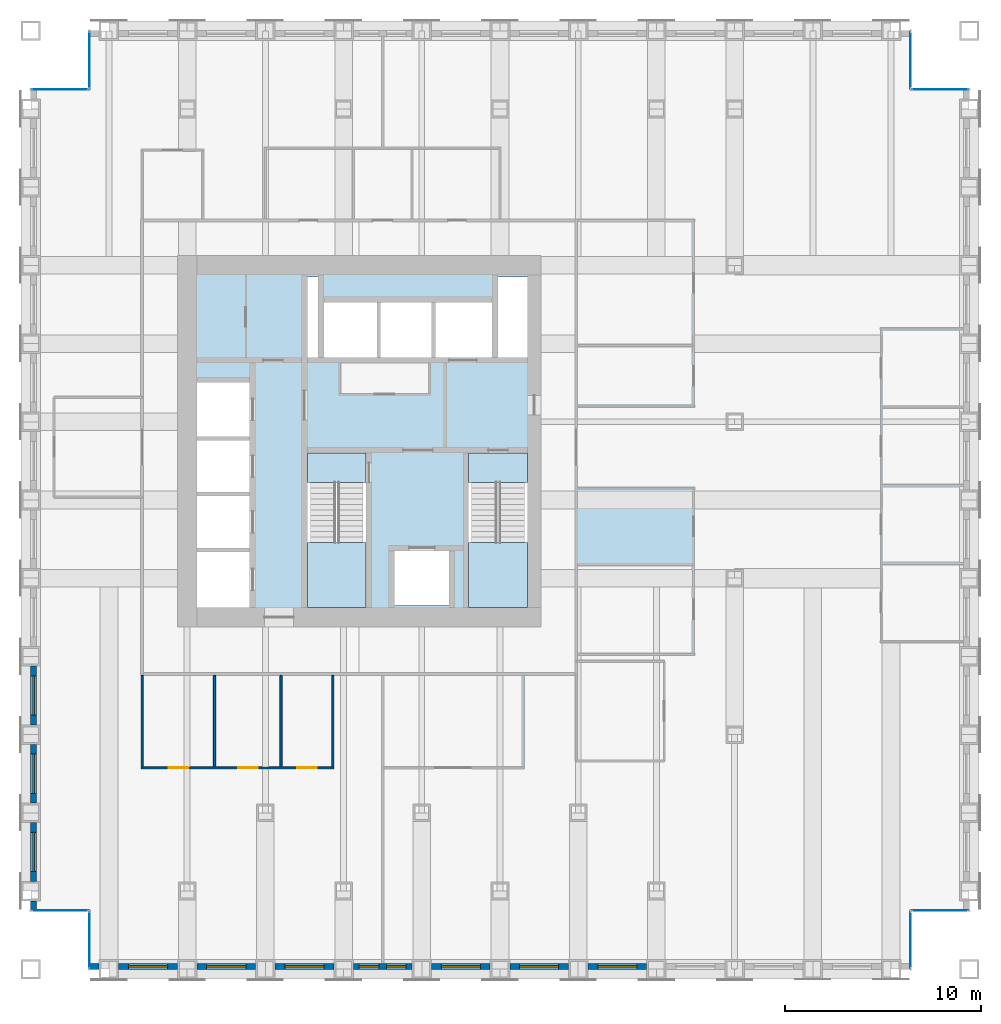
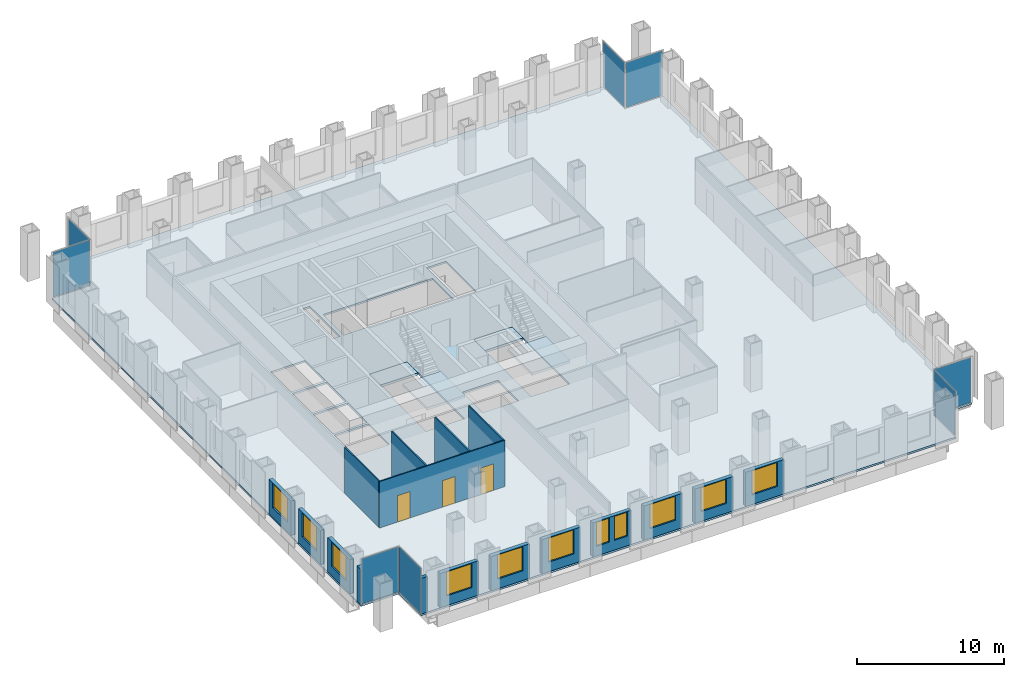
# One storey, part 10 of 16: 17 walls, 11 windows, 8 plates, 5 slabs, 3 doors, 14 openings, 10 elements without a shape of their own.
"""IFC4 building model written with IfcOpenShell, lengths in metres."""

import ifcopenshell
import ifcopenshell.guid

model = None  # the IFC model being written
_history = None  # IfcOwnerHistory: only IFC2X3 demands one
_inside = {}  # id of a spatial element -> (the spatial element, [elements in it])
_under = {}  # id of a project, library or spatial element -> (it, [spatial elements below it])
_declared = {}  # id of a project -> (the project, [libraries it declares])
_typed = {}  # id of a type object -> (the type object, [elements of that type])
_made_of = {}  # id of a material, layer set ... -> (it, [elements and type objects made of it])


def new_model(schema):
    """Start an empty IFC model of exactly this schema.

    Asked for "IFC4X3", IfcOpenShell would pick the latest addendum, in which some entities
    have other attributes; the version numbers below select the first issue.
    IFC2X3 requires an IfcOwnerHistory on every rooted entity: one is made here for all.
    """
    global model, _history
    if schema == "IFC4X3":
        model = ifcopenshell.file(schema_version=(4, 3, 0, 0))
    else:
        model = ifcopenshell.file(schema=schema)
    _inside.clear()
    _under.clear()
    _declared.clear()
    _typed.clear()
    _made_of.clear()
    _history = None
    if model.schema == "IFC2X3":
        org = make("IfcOrganization", Name="unknown")
        user = make(
            "IfcPersonAndOrganization",
            ThePerson=make("IfcPerson", FamilyName="unknown"),
            TheOrganization=org,
        )
        app = make(
            "IfcApplication",
            ApplicationDeveloper=org,
            Version="unknown",
            ApplicationFullName="unknown",
            ApplicationIdentifier="unknown",
        )
        _history = make(
            "IfcOwnerHistory",
            OwningUser=user,
            OwningApplication=app,
            ChangeAction="ADDED",
            CreationDate=0,
        )
    return model


def make(cls, **values):
    """One entity of the class cls with the attributes given. An attribute that is None is left unset."""
    return model.create_entity(
        cls, **{name: value for name, value in values.items() if value is not None}
    )


def rooted(cls, **values):
    """An entity with a GlobalId (a new one), such as an element, a storey or a relation."""
    return make(cls, GlobalId=ifcopenshell.guid.new(), OwnerHistory=_history, **values)


def si_unit(unit_type, name, prefix=None):
    """IfcSIUnit, for example si_unit("LENGTHUNIT", "METRE", prefix="MILLI")."""
    return make("IfcSIUnit", UnitType=unit_type, Prefix=prefix, Name=name)


def assignment(units):
    """IfcUnitAssignment: the units of a project."""
    return None if units is None else make("IfcUnitAssignment", Units=units)


def point(xyz):
    """IfcCartesianPoint."""
    return None if xyz is None else make("IfcCartesianPoint", Coordinates=xyz)


def direction(xyz):
    """IfcDirection."""
    return None if xyz is None else make("IfcDirection", DirectionRatios=xyz)


def frame(location, z_axis=None, x_axis=None):
    """IfcAxis2Placement3D, a coordinate frame: its origin and axes. An axis left out is left unset."""
    return make(
        "IfcAxis2Placement3D",
        Location=point(location),
        Axis=direction(z_axis),
        RefDirection=direction(x_axis),
    )


def frame_2d(location, x_axis=None):
    """IfcAxis2Placement2D, a coordinate frame in the plane: its origin and x axis."""
    return make(
        "IfcAxis2Placement2D", Location=point(location), RefDirection=direction(x_axis)
    )


def origin():
    """The frame at (0, 0, 0) with its axes left unset."""
    return frame((0.0, 0.0, 0.0))


def origin_2d():
    """The frame at (0, 0) in the plane with its x axis left unset."""
    return frame_2d((0.0, 0.0))


def place(relative_to, where):
    """IfcLocalPlacement: puts the frame where relative to a parent placement (None: the world)."""
    return make(
        "IfcLocalPlacement", PlacementRelTo=relative_to, RelativePlacement=where
    )


def context(
    kind, dimensions, precision=None, world=None, true_north=None, identifier=None
):
    """IfcGeometricRepresentationContext, for example the 3D "Model" context."""
    return make(
        "IfcGeometricRepresentationContext",
        ContextIdentifier=identifier,
        ContextType=kind,
        CoordinateSpaceDimension=dimensions,
        Precision=precision,
        WorldCoordinateSystem=world,
        TrueNorth=true_north,
    )


def subcontext(parent, identifier, kind, view, scale=None):
    """IfcGeometricRepresentationSubContext, for example "Body" below "Model"."""
    return make(
        "IfcGeometricRepresentationSubContext",
        ContextIdentifier=identifier,
        ContextType=kind,
        ParentContext=parent,
        TargetScale=scale,
        TargetView=view,
    )


def project(units=None, contexts=None):
    """IfcProject with its units and contexts."""
    return rooted(
        "IfcProject",
        Name="project",
        RepresentationContexts=contexts,
        UnitsInContext=assignment(units),
    )


def spatial(cls, under=None, at=None, **own):
    """A site, building, storey or space (cls), placed at a placement, below another one or the project."""
    s = rooted(cls, ObjectPlacement=at, **own)
    if under is not None:
        _under.setdefault(under.id(), (under, []))[1].append(s)
    return s


def polyline(points):
    """IfcPolyline through the points."""
    return make("IfcPolyline", Points=[point(p) for p in points])


def profile(cls, at=None, kind="AREA", **sizes):
    """A parametric profile (cls). Its sizes go by their IFC names, for example OverallWidth=200.0."""
    return make(cls, ProfileType=kind, Position=at, **sizes)


def rectangle(**sizes):
    """IfcRectangleProfileDef."""
    return profile("IfcRectangleProfileDef", **sizes)


def outline(outer, holes=None, kind="AREA"):
    """IfcArbitraryClosedProfileDef: a profile drawn as a closed curve; with holes, ...WithVoids."""
    if holes is None:
        return make("IfcArbitraryClosedProfileDef", ProfileType=kind, OuterCurve=outer)
    return make(
        "IfcArbitraryProfileDefWithVoids",
        ProfileType=kind,
        OuterCurve=outer,
        InnerCurves=holes,
    )


def extrude(swept, where, along, depth):
    """IfcExtrudedAreaSolid: the profile swept, set in the frame where, extruded along a direction by depth."""
    return make(
        "IfcExtrudedAreaSolid",
        SweptArea=swept,
        Position=where,
        ExtrudedDirection=direction(along),
        Depth=depth,
    )


def shape(context_of_items, identifier, shape_type, items):
    """IfcShapeRepresentation: the items that make up one representation, for example the "Body"."""
    return make(
        "IfcShapeRepresentation",
        ContextOfItems=context_of_items,
        RepresentationIdentifier=identifier,
        RepresentationType=shape_type,
        Items=items,
    )


def material(Name=None, Category=None):
    """IfcMaterial."""
    return make("IfcMaterial", Name=Name, Category=Category)


def layer(
    of_material, thickness, ventilated=None, Name=None, Category=None, Priority=None
):
    """IfcMaterialLayer: one layer of a wall or slab, of a material (None: an air gap)."""
    return make(
        "IfcMaterialLayer",
        Material=of_material,
        LayerThickness=thickness,
        IsVentilated=ventilated,
        Name=Name,
        Category=Category,
        Priority=Priority,
    )


def layer_set(layers, Name=None):
    """IfcMaterialLayerSet."""
    return make("IfcMaterialLayerSet", MaterialLayers=layers, LayerSetName=Name)


def made_of(thing, what):
    """Note that an element or type object is made of a material, layer set ...; save() writes the relation."""
    if what is not None:
        _made_of.setdefault(what.id(), (what, []))[1].append(thing)
    return thing


def type_object(cls, material=None, **own):
    """A type object (cls), such as IfcWallType, which elements share."""
    return made_of(rooted(cls, **own), material)


def element(
    cls,
    number,
    at=None,
    inside=None,
    cuts=None,
    type_object=None,
    material=None,
    context=None,
    identifier="Body",
    shape_type=None,
    held_by="IfcProductDefinitionShape",
    body=None,
    shapes=None,
    **own,
):
    """One element of the class cls, such as IfcWall. Its Tag is "e" and its number.

    at: its placement. inside: the storey or other place that contains it. cuts: it is an
    opening in that element (IfcRelVoidsElement). A single representation is given by context,
    identifier, shape_type and body (its items); several are given by shapes. held_by: the class
    of the entity that holds the representations. save() writes the other relations.
    """
    e = rooted(cls, Tag="e%d" % number, ObjectPlacement=at, **own)
    if body is not None:
        shapes = [shape(context, identifier, shape_type, body)]
    if shapes is not None:
        e.Representation = make(held_by, Representations=shapes)
    if inside is not None:
        _inside.setdefault(inside.id(), (inside, []))[1].append(e)
    if cuts is not None:
        rooted(
            "IfcRelVoidsElement", RelatingBuildingElement=cuts, RelatedOpeningElement=e
        )
    if type_object is not None:
        _typed.setdefault(type_object.id(), (type_object, []))[1].append(e)
    return made_of(e, material)


def fill(opening, filler):
    """IfcRelFillsElement: the door or window that sits in an opening."""
    return rooted(
        "IfcRelFillsElement",
        RelatingOpeningElement=opening,
        RelatedBuildingElement=filler,
    )


def aggregate(whole, parts):
    """IfcRelAggregates: a whole, such as a stair, and the parts it consists of."""
    return rooted("IfcRelAggregates", RelatingObject=whole, RelatedObjects=parts)


def save(model, path):
    """Write the relations noted so far, then the file.

    IfcRelAggregates (storeys below a building ...), IfcRelContainedInSpatialStructure (elements
    in a storey), IfcRelDefinesByType, IfcRelAssociatesMaterial and IfcRelDeclares: one each for
    every whole, place, type object, material and project.
    """
    for whole, parts in _under.values():
        aggregate(whole, parts)
    for where, things in _inside.values():
        rooted(
            "IfcRelContainedInSpatialStructure",
            RelatedElements=things,
            RelatingStructure=where,
        )
    for kind, things in _typed.values():
        rooted("IfcRelDefinesByType", RelatedObjects=things, RelatingType=kind)
    for what, things in _made_of.values():
        rooted("IfcRelAssociatesMaterial", RelatedObjects=things, RelatingMaterial=what)
    for by, libraries in _declared.values():
        rooted("IfcRelDeclares", RelatingContext=by, RelatedDefinitions=libraries)
    model.write(path)


model = new_model("IFC4")

# Units and contexts
model_context = context("Model", 3, precision=1e-05, world=origin(), true_north=direction((0.0, 1.0)))
body_context = subcontext(model_context, "Body", "Model", "MODEL_VIEW")
ifc_project = project(units=[si_unit("LENGTHUNIT", "METRE"), si_unit("AREAUNIT", "SQUARE_METRE"), si_unit("VOLUMEUNIT", "CUBIC_METRE"), si_unit("PLANEANGLEUNIT", "RADIAN"), si_unit("MASSUNIT", "GRAM", prefix="KILO")], contexts=[model_context])

# Site, building, storey
site_placement = place(None, origin())
site = spatial("IfcSite", under=ifc_project, at=site_placement, CompositionType="ELEMENT")
building_placement = place(site_placement, origin())
building = spatial("IfcBuilding", under=site, at=building_placement, Name="Rimbunsela Tower", CompositionType="ELEMENT")
storey_placement = place(building_placement, frame((0.0, 0.0, 89.39990234375)))
storey = spatial("IfcBuildingStorey", under=building, at=storey_placement, Name="L21", CompositionType="ELEMENT", Elevation=89.39990234375)

# Slab
ifc_material_1 = material(Name="Concrete fc' 35 MPa", Category="concrete")
ifc_layer_1 = layer(ifc_material_1, 0.14990234375)
ifc_layer_set_1 = layer_set([ifc_layer_1], Name="Floor slab 150")
slab_type_1 = type_object("IfcSlabType", Name="Floor slab 150", PredefinedType="FLOOR", material=ifc_layer_set_1)
slab_1_placement = place(storey_placement, frame((0.0, 0.0, -0.14990234375)))
element("IfcSlab", 1, at=slab_1_placement, inside=storey, type_object=slab_type_1, Name="Floor slab L21", PredefinedType="FLOOR", context=body_context, shape_type="SweptSolid", body=[
    extrude(outline(polyline([(13.0, 0.0), (55.0, 0.0), (55.0, 3.0), (58.0, 3.0), (58.0, 45.0), (55.0, 45.0), (55.0, 48.0), (13.0, 48.0), (13.0, 45.0), (10.0, 45.0), (10.0, 3.0), (13.0, 3.0), (13.0, 0.0)]), holes=[polyline([(21.199951171875, 21.35009765625), (18.5, 21.35009765625), (18.5, 18.5), (21.199951171875, 18.5), (21.199951171875, 21.35009765625)]), polyline([(21.199951171875, 21.550048828125), (21.199951171875, 24.199951171875), (18.5, 24.199951171875), (18.5, 21.550048828125), (21.199951171875, 21.550048828125)]), polyline([(21.199951171875, 27.050048828125), (18.5, 27.050048828125), (18.5, 24.39990234375), (21.199951171875, 24.39990234375), (21.199951171875, 27.050048828125)]), polyline([(21.199951171875, 27.25), (21.199951171875, 30.0), (18.5, 30.0), (18.5, 27.25), (21.199951171875, 27.25)]), polyline([(27.14990234375, 18.60009765625), (27.14990234375, 26.39990234375), (24.14990234375, 26.39990234375), (24.14990234375, 18.60009765625), (27.14990234375, 18.60009765625)]), polyline([(24.699951171875, 31.300048828125), (24.699951171875, 35.39990234375), (24.14990234375, 35.39990234375), (24.14990234375, 31.300048828125), (24.699951171875, 31.300048828125)]), polyline([(25.0, 34.10009765625), (25.0, 31.300048828125), (33.60009765625, 31.300048828125), (33.60009765625, 34.10009765625), (25.0, 34.10009765625)]), polyline([(31.39990234375, 21.39990234375), (28.60009765625, 21.39990234375), (28.60009765625, 18.60009765625), (31.39990234375, 18.60009765625), (31.39990234375, 21.39990234375)]), polyline([(35.39990234375, 18.60009765625), (35.39990234375, 26.39990234375), (32.39990234375, 26.39990234375), (32.39990234375, 18.60009765625), (35.39990234375, 18.60009765625)]), polyline([(35.39990234375, 31.300048828125), (35.39990234375, 35.39990234375), (33.89990234375, 35.39990234375), (33.89990234375, 31.300048828125), (35.39990234375, 31.300048828125)])]), origin(), (0.0, 0.0, 1.0), 0.14990234375),
])

# Curtain wall, plate
ifc_material_2 = material(Name="Aluminium curtain wall", Category="aluminium")
curtain_wall_type = type_object("IfcCurtainWallType", Name="Corner glazing", PredefinedType="USERDEFINED", material=ifc_material_2)
curtain_wall_1_placement = place(storey_placement, origin())
curtain_wall_1 = element("IfcCurtainWall", 2, at=curtain_wall_1_placement, inside=storey, type_object=curtain_wall_type, Name="Corner glazing L21", ObjectType="CORNER GLAZING", PredefinedType="USERDEFINED")
ifc_material_3 = material(Name="Clear double glazing", Category="glass")
ifc_layer_2 = layer(ifc_material_3, 0.028076171875)
ifc_layer_set_2 = layer_set([ifc_layer_2], Name="Glazed panel clear")
plate_type = type_object("IfcPlateType", Name="Glazed panel clear", PredefinedType="CURTAIN_PANEL", material=ifc_layer_set_2)
plate_1_placement = place(storey_placement, frame((55.0, 1.5, 0.06005859375), z_axis=(0.0, 0.0, 1.0), x_axis=(0.0, 1.0, 0.0)))
plate_1 = element("IfcPlate", 3, at=plate_1_placement, type_object=plate_type, Name="CW5 panel 1.1", PredefinedType="CURTAIN_PANEL", context=body_context, shape_type="SweptSolid", body=[
    extrude(rectangle(XDim=2.8798828125, YDim=0.028076171875, at=origin_2d()), origin(), (0.0, 0.0, 1.0), 3.72998046875),
])
aggregate(curtain_wall_1, [plate_1])

curtain_wall_2_placement = place(storey_placement, origin())
curtain_wall_2 = element("IfcCurtainWall", 4, at=curtain_wall_2_placement, inside=storey, type_object=curtain_wall_type, Name="Corner glazing L21", ObjectType="CORNER GLAZING", PredefinedType="USERDEFINED")
plate_2_placement = place(storey_placement, frame((56.5, 3.0, 0.06005859375), z_axis=(0.0, 0.0, 1.0), x_axis=(1.0, 0.0, 0.0)))
plate_2 = element("IfcPlate", 5, at=plate_2_placement, type_object=plate_type, Name="CW5 panel 1.1", PredefinedType="CURTAIN_PANEL", context=body_context, shape_type="SweptSolid", body=[
    extrude(rectangle(XDim=2.8798828125, YDim=0.028076171875, at=origin_2d()), origin(), (0.0, 0.0, 1.0), 3.72998046875),
])
aggregate(curtain_wall_2, [plate_2])

curtain_wall_3_placement = place(storey_placement, origin())
curtain_wall_3 = element("IfcCurtainWall", 6, at=curtain_wall_3_placement, inside=storey, type_object=curtain_wall_type, Name="Corner glazing L21", ObjectType="CORNER GLAZING", PredefinedType="USERDEFINED")
plate_3_placement = place(storey_placement, frame((56.5, 45.0, 0.06005859375), z_axis=(0.0, 0.0, 1.0), x_axis=(-1.0, 0.0, 0.0)))
plate_3 = element("IfcPlate", 7, at=plate_3_placement, type_object=plate_type, Name="CW5 panel 1.1", PredefinedType="CURTAIN_PANEL", context=body_context, shape_type="SweptSolid", body=[
    extrude(rectangle(XDim=2.8798828125, YDim=0.028076171875, at=origin_2d()), origin(), (0.0, 0.0, 1.0), 3.72998046875),
])
aggregate(curtain_wall_3, [plate_3])

curtain_wall_4_placement = place(storey_placement, origin())
curtain_wall_4 = element("IfcCurtainWall", 8, at=curtain_wall_4_placement, inside=storey, type_object=curtain_wall_type, Name="Corner glazing L21", ObjectType="CORNER GLAZING", PredefinedType="USERDEFINED")
plate_4_placement = place(storey_placement, frame((55.0, 46.5, 0.06005859375), z_axis=(0.0, 0.0, 1.0), x_axis=(0.0, 1.0, 0.0)))
plate_4 = element("IfcPlate", 9, at=plate_4_placement, type_object=plate_type, Name="CW5 panel 1.1", PredefinedType="CURTAIN_PANEL", context=body_context, shape_type="SweptSolid", body=[
    extrude(rectangle(XDim=2.8798828125, YDim=0.028076171875, at=origin_2d()), origin(), (0.0, 0.0, 1.0), 3.72998046875),
])
aggregate(curtain_wall_4, [plate_4])

curtain_wall_5_placement = place(storey_placement, origin())
curtain_wall_5 = element("IfcCurtainWall", 10, at=curtain_wall_5_placement, inside=storey, type_object=curtain_wall_type, Name="Corner glazing L21", ObjectType="CORNER GLAZING", PredefinedType="USERDEFINED")
plate_5_placement = place(storey_placement, frame((13.0, 46.5, 0.06005859375), z_axis=(0.0, 0.0, 1.0), x_axis=(0.0, -1.0, 0.0)))
plate_5 = element("IfcPlate", 11, at=plate_5_placement, type_object=plate_type, Name="CW5 panel 1.1", PredefinedType="CURTAIN_PANEL", context=body_context, shape_type="SweptSolid", body=[
    extrude(rectangle(XDim=2.8798828125, YDim=0.028076171875, at=origin_2d()), origin(), (0.0, 0.0, 1.0), 3.72998046875),
])
aggregate(curtain_wall_5, [plate_5])

curtain_wall_6_placement = place(storey_placement, origin())
curtain_wall_6 = element("IfcCurtainWall", 12, at=curtain_wall_6_placement, inside=storey, type_object=curtain_wall_type, Name="Corner glazing L21", ObjectType="CORNER GLAZING", PredefinedType="USERDEFINED")
plate_6_placement = place(storey_placement, frame((11.5, 45.0, 0.06005859375), z_axis=(0.0, 0.0, 1.0), x_axis=(-1.0, 0.0, 0.0)))
plate_6 = element("IfcPlate", 13, at=plate_6_placement, type_object=plate_type, Name="CW5 panel 1.1", PredefinedType="CURTAIN_PANEL", context=body_context, shape_type="SweptSolid", body=[
    extrude(rectangle(XDim=2.8798828125, YDim=0.028076171875, at=origin_2d()), origin(), (0.0, 0.0, 1.0), 3.72998046875),
])
aggregate(curtain_wall_6, [plate_6])

curtain_wall_7_placement = place(storey_placement, origin())
curtain_wall_7 = element("IfcCurtainWall", 14, at=curtain_wall_7_placement, inside=storey, type_object=curtain_wall_type, Name="Corner glazing L21", ObjectType="CORNER GLAZING", PredefinedType="USERDEFINED")
plate_7_placement = place(storey_placement, frame((11.5, 3.0, 0.06005859375), z_axis=(0.0, 0.0, 1.0), x_axis=(1.0, 0.0, 0.0)))
plate_7 = element("IfcPlate", 15, at=plate_7_placement, type_object=plate_type, Name="CW5 panel 1.1", PredefinedType="CURTAIN_PANEL", context=body_context, shape_type="SweptSolid", body=[
    extrude(rectangle(XDim=2.8798828125, YDim=0.028076171875, at=origin_2d()), origin(), (0.0, 0.0, 1.0), 3.72998046875),
])
aggregate(curtain_wall_7, [plate_7])

curtain_wall_8_placement = place(storey_placement, origin())
curtain_wall_8 = element("IfcCurtainWall", 16, at=curtain_wall_8_placement, inside=storey, type_object=curtain_wall_type, Name="Corner glazing L21", ObjectType="CORNER GLAZING", PredefinedType="USERDEFINED")
plate_8_placement = place(storey_placement, frame((13.0, 1.5, 0.06005859375), z_axis=(0.0, 0.0, 1.0), x_axis=(0.0, -1.0, 0.0)))
plate_8 = element("IfcPlate", 17, at=plate_8_placement, type_object=plate_type, Name="CW5 panel 1.1", PredefinedType="CURTAIN_PANEL", context=body_context, shape_type="SweptSolid", body=[
    extrude(rectangle(XDim=2.8798828125, YDim=0.028076171875, at=origin_2d()), origin(), (0.0, 0.0, 1.0), 3.72998046875),
])
aggregate(curtain_wall_8, [plate_8])

# Stair, slabs
ifc_material_4 = material(Name="Concrete fc' 35 MPa", Category="concrete")
stair_type = type_object("IfcStairType", Name="Exit stair 24 risers", PredefinedType="HALF_TURN_STAIR", material=ifc_material_4)
stair_1_placement = place(storey_placement, origin())
stair_1 = element("IfcStair", 18, at=stair_1_placement, inside=storey, type_object=stair_type, Name="Exit stair A L21", PredefinedType="HALF_TURN_STAIR")
ifc_material_5 = material(Name="Concrete fc' 35 MPa", Category="concrete")
ifc_layer_3 = layer(ifc_material_5, 0.199951171875)
ifc_layer_set_3 = layer_set([ifc_layer_3], Name="Stair landing 200")
slab_type_2 = type_object("IfcSlabType", Name="Stair landing 200", PredefinedType="LANDING", material=ifc_layer_set_3)
slab_2_placement = place(storey_placement, frame((0.0, 0.0, -0.199951171875)))
slab_2 = element("IfcSlab", 19, at=slab_2_placement, type_object=slab_type_2, Name="ST-A landing 1", PredefinedType="LANDING", context=body_context, shape_type="SweptSolid", body=[
    extrude(outline(polyline([(24.14990234375, 24.89990234375), (27.14990234375, 24.89990234375), (27.14990234375, 26.39990234375), (24.14990234375, 26.39990234375), (24.14990234375, 24.89990234375)])), origin(), (0.0, 0.0, 1.0), 0.199951171875),
])
slab_3_placement = place(storey_placement, frame((0.0, 0.0, 1.800048828125)))
slab_3 = element("IfcSlab", 20, at=slab_3_placement, type_object=slab_type_2, Name="ST-A landing 2", PredefinedType="LANDING", context=body_context, shape_type="SweptSolid", body=[
    extrude(outline(polyline([(24.14990234375, 18.5), (27.14990234375, 18.5), (27.14990234375, 21.820068359375), (24.14990234375, 21.820068359375), (24.14990234375, 18.5)])), origin(), (0.0, 0.0, 1.0), 0.199951171875),
])
aggregate(stair_1, [slab_2, slab_3])

stair_2_placement = place(storey_placement, origin())
stair_2 = element("IfcStair", 21, at=stair_2_placement, inside=storey, type_object=stair_type, Name="Exit stair B L21", PredefinedType="HALF_TURN_STAIR")
slab_4_placement = place(storey_placement, frame((0.0, 0.0, -0.199951171875)))
slab_4 = element("IfcSlab", 22, at=slab_4_placement, type_object=slab_type_2, Name="ST-B landing 1", PredefinedType="LANDING", context=body_context, shape_type="SweptSolid", body=[
    extrude(outline(polyline([(32.39990234375, 24.89990234375), (35.39990234375, 24.89990234375), (35.39990234375, 26.39990234375), (32.39990234375, 26.39990234375), (32.39990234375, 24.89990234375)])), origin(), (0.0, 0.0, 1.0), 0.199951171875),
])
slab_5_placement = place(storey_placement, frame((0.0, 0.0, 1.800048828125)))
slab_5 = element("IfcSlab", 23, at=slab_5_placement, type_object=slab_type_2, Name="ST-B landing 2", PredefinedType="LANDING", context=body_context, shape_type="SweptSolid", body=[
    extrude(outline(polyline([(32.39990234375, 18.5), (35.39990234375, 18.5), (35.39990234375, 21.820068359375), (32.39990234375, 21.820068359375), (32.39990234375, 18.5)])), origin(), (0.0, 0.0, 1.0), 0.199951171875),
])
aggregate(stair_2, [slab_4, slab_5])

# Wall, openings, doors
ifc_material_6 = material(Name="Gypsum board on steel studs", Category="steel")
ifc_layer_4 = layer(ifc_material_6, 0.10009765625)
ifc_layer_set_4 = layer_set([ifc_layer_4], Name="Office partition 100")
wall_type_1 = type_object("IfcWallType", Name="Office partition 100", PredefinedType="PARTITIONING", material=ifc_layer_set_4)
wall_1_placement = place(storey_placement, frame((15.64990234375, 10.300048828125, 0.0), z_axis=(0.0, 0.0, 1.0), x_axis=(1.0, 0.0, 0.0)))
wall_1 = element("IfcWall", 24, at=wall_1_placement, inside=storey, type_object=wall_type_1, Name="Office partition", PredefinedType="PARTITIONING", context=body_context, shape_type="SweptSolid", body=[
    extrude(rectangle(XDim=9.85009765625, YDim=0.10009765625, at=frame_2d((4.925048828125, 0.0))), origin(), (0.0, 0.0, 1.0), 3.85009765625),
])
opening_1_placement = place(wall_1_placement, frame((1.39990234375, 0.0, 0.0)))
opening_1 = element("IfcOpeningElement", 25, at=opening_1_placement, cuts=wall_1, Name="Opening D17", PredefinedType="OPENING", context=body_context, shape_type="SweptSolid", body=[
    extrude(rectangle(XDim=1.0, YDim=2.199951171875, at=frame_2d((0.5, 1.10009765625))), frame((0.0, 0.06005859375, 0.0), z_axis=(0.0, -1.0, 0.0), x_axis=(1.0, 0.0, 0.0)), (0.0, 0.0, 1.0), 0.1201171875),
])
opening_2_placement = place(wall_1_placement, frame((4.949951171875, 0.0, 0.0)))
opening_2 = element("IfcOpeningElement", 26, at=opening_2_placement, cuts=wall_1, Name="Opening D16", PredefinedType="OPENING", context=body_context, shape_type="SweptSolid", body=[
    extrude(rectangle(XDim=1.0, YDim=2.199951171875, at=frame_2d((0.5, 1.10009765625))), frame((0.0, 0.06005859375, 0.0), z_axis=(0.0, -1.0, 0.0), x_axis=(1.0, 0.0, 0.0)), (0.0, 0.0, 1.0), 0.1201171875),
])
opening_3_placement = place(wall_1_placement, frame((7.97509765625, 0.0, 0.0)))
opening_3 = element("IfcOpeningElement", 27, at=opening_3_placement, cuts=wall_1, Name="Opening D16", PredefinedType="OPENING", context=body_context, shape_type="SweptSolid", body=[
    extrude(rectangle(XDim=1.0, YDim=2.199951171875, at=frame_2d((0.5, 1.10009765625))), frame((0.0, 0.06005859375, 0.0), z_axis=(0.0, -1.0, 0.0), x_axis=(1.0, 0.0, 0.0)), (0.0, 0.0, 1.0), 0.1201171875),
])
ifc_material_7 = material(Name="Glazed aluminium door", Category="aluminium")
door_type_1 = type_object("IfcDoorType", Name="Meeting room door 1000 glazed", OperationType="SINGLE_SWING_RIGHT", PredefinedType="DOOR", material=ifc_material_7)
door_1_placement = place(opening_1_placement, origin())
door_1 = element("IfcDoor", 28, at=door_1_placement, inside=storey, type_object=door_type_1, Name="Meeting room door", OperationType="SINGLE_SWING_RIGHT", OverallHeight=2.199951171875, OverallWidth=1.0, PredefinedType="DOOR", context=body_context, shape_type="SweptSolid", body=[
    extrude(rectangle(XDim=1.0, YDim=2.199951171875, at=frame_2d((0.5, 1.10009765625))), frame((0.0, 0.02490234375, 0.0), z_axis=(0.0, -1.0, 0.0), x_axis=(1.0, 0.0, 0.0)), (0.0, 0.0, 1.0), 0.050048828125),
])
fill(opening_1, door_1)
ifc_material_8 = material(Name="Timber door", Category="wood")
door_type_2 = type_object("IfcDoorType", Name="Office door 1000", OperationType="SINGLE_SWING_LEFT", PredefinedType="DOOR", material=ifc_material_8)
door_2_placement = place(opening_2_placement, origin())
door_2 = element("IfcDoor", 29, at=door_2_placement, inside=storey, type_object=door_type_2, Name="Office door", OperationType="SINGLE_SWING_LEFT", OverallHeight=2.199951171875, OverallWidth=1.0, PredefinedType="DOOR", context=body_context, shape_type="SweptSolid", body=[
    extrude(rectangle(XDim=1.0, YDim=2.199951171875, at=frame_2d((0.5, 1.10009765625))), frame((0.0, 0.02490234375, 0.0), z_axis=(0.0, -1.0, 0.0), x_axis=(1.0, 0.0, 0.0)), (0.0, 0.0, 1.0), 0.050048828125),
])
fill(opening_2, door_2)
door_3_placement = place(opening_3_placement, origin())
door_3 = element("IfcDoor", 30, at=door_3_placement, inside=storey, type_object=door_type_2, Name="Office door", OperationType="SINGLE_SWING_LEFT", OverallHeight=2.199951171875, OverallWidth=1.0, PredefinedType="DOOR", context=body_context, shape_type="SweptSolid", body=[
    extrude(rectangle(XDim=1.0, YDim=2.199951171875, at=frame_2d((0.5, 1.10009765625))), frame((0.0, 0.02490234375, 0.0), z_axis=(0.0, -1.0, 0.0), x_axis=(1.0, 0.0, 0.0)), (0.0, 0.0, 1.0), 0.050048828125),
])
fill(opening_3, door_3)

# Walls
for number, where, z_axis, x_axis, name in (
    (31, (15.699951171875, 10.35009765625, 0.0), (0.0, 0.0, 1.0), (0.0, 1.0, 0.0), "Office partition"),
    (32, (19.39990234375, 10.35009765625, 0.0), (0.0, 0.0, 1.0), (0.0, 1.0, 0.0), "Office partition"),
    (33, (22.800048828125, 10.35009765625, 0.0), (0.0, 0.0, 1.0), (0.0, 1.0, 0.0), "Office partition"),
    (34, (25.449951171875, 10.35009765625, 0.0), (0.0, 0.0, 1.0), (0.0, 1.0, 0.0), "Office partition"),
):
    element("IfcWall", number, at=place(storey_placement, frame(where, z_axis=z_axis, x_axis=x_axis)), inside=storey, type_object=wall_type_1, Name=name, PredefinedType="PARTITIONING", context=body_context, shape_type="SweptSolid", body=[
        extrude(rectangle(XDim=4.6748046875, YDim=0.10009765625, at=frame_2d((2.33740234375, 0.0))), origin(), (0.0, 0.0, 1.0), 3.85009765625),
    ])
ifc_material_9 = material(Name="Precast concrete fc' 35 MPa", Category="concrete")
ifc_layer_5 = layer(ifc_material_9, 0.300048828125)
ifc_layer_set_5 = layer_set([ifc_layer_5], Name="Precast concrete fc' 35 MPa")
wall_type_2 = type_object("IfcWallType", Name="Precast facade panel 300", PredefinedType="ELEMENTEDWALL", material=ifc_layer_set_5)
wall_2_placement = place(storey_placement, frame((13.030029296875, 0.14990234375, 0.0), z_axis=(0.0, 0.0, 1.0), x_axis=(1.0, 0.0, 0.0)))
element("IfcWall", 35, at=wall_2_placement, inside=storey, type_object=wall_type_2, Name="Facade panel S L21", PredefinedType="ELEMENTEDWALL", context=body_context, shape_type="SweptSolid", body=[
    extrude(rectangle(XDim=0.469970703125, YDim=0.300048828125, at=frame_2d((0.23486328125, 0.0))), origin(), (0.0, 0.0, 1.0), 2.9501953125),
])

# Wall, opening, window
wall_3_placement = place(storey_placement, frame((14.5, 0.14990234375, 0.0), z_axis=(0.0, 0.0, 1.0), x_axis=(1.0, 0.0, 0.0)))
wall_3 = element("IfcWall", 36, at=wall_3_placement, inside=storey, type_object=wall_type_2, Name="Facade panel S L21", PredefinedType="ELEMENTEDWALL", context=body_context, shape_type="SweptSolid", body=[
    extrude(rectangle(XDim=3.0, YDim=0.300048828125, at=frame_2d((1.5, 0.0))), origin(), (0.0, 0.0, 1.0), 2.85009765625),
])
opening_4_placement = place(wall_3_placement, frame((0.5, 0.0, 0.800048828125)))
opening_4 = element("IfcOpeningElement", 37, at=opening_4_placement, cuts=wall_3, Name="Opening W1", PredefinedType="OPENING", context=body_context, shape_type="SweptSolid", body=[
    extrude(rectangle(XDim=2.0, YDim=2.0, at=frame_2d((1.0, 1.0))), frame((0.0, 0.159912109375, 0.0), z_axis=(0.0, -1.0, 0.0), x_axis=(1.0, 0.0, 0.0)), (0.0, 0.0, 1.0), 0.320068359375),
])
ifc_material_10 = material(Name="Clear glass in aluminium frame", Category="aluminium")
window_type_1 = type_object("IfcWindowType", Name="Window W1 2000x2000", PartitioningType="DOUBLE_PANEL_VERTICAL", PredefinedType="WINDOW", material=ifc_material_10)
window_1_placement = place(opening_4_placement, origin())
window_1 = element("IfcWindow", 38, at=window_1_placement, inside=storey, type_object=window_type_1, Name="Window L21", OverallHeight=2.0, OverallWidth=2.0, PartitioningType="SINGLE_PANEL", PredefinedType="WINDOW", context=body_context, shape_type="SweptSolid", body=[
    extrude(rectangle(XDim=2.0, YDim=2.0, at=frame_2d((1.0, 1.0))), frame((0.0, 0.030029296875, 0.0), z_axis=(0.0, -1.0, 0.0), x_axis=(1.0, 0.0, 0.0)), (0.0, 0.0, 1.0), 0.06005859375),
])
fill(opening_4, window_1)

wall_4_placement = place(storey_placement, frame((18.5, 0.14990234375, 0.0), z_axis=(0.0, 0.0, 1.0), x_axis=(1.0, 0.0, 0.0)))
wall_4 = element("IfcWall", 39, at=wall_4_placement, inside=storey, type_object=wall_type_2, Name="Facade panel S L21", PredefinedType="ELEMENTEDWALL", context=body_context, shape_type="SweptSolid", body=[
    extrude(rectangle(XDim=3.0, YDim=0.300048828125, at=frame_2d((1.5, 0.0))), origin(), (0.0, 0.0, 1.0), 2.85009765625),
])
opening_5_placement = place(wall_4_placement, frame((0.5, 0.0, 0.800048828125)))
opening_5 = element("IfcOpeningElement", 40, at=opening_5_placement, cuts=wall_4, Name="Opening W1", PredefinedType="OPENING", context=body_context, shape_type="SweptSolid", body=[
    extrude(rectangle(XDim=2.0, YDim=2.0, at=frame_2d((1.0, 1.0))), frame((0.0, 0.159912109375, 0.0), z_axis=(0.0, -1.0, 0.0), x_axis=(1.0, 0.0, 0.0)), (0.0, 0.0, 1.0), 0.320068359375),
])
window_2_placement = place(opening_5_placement, origin())
window_2 = element("IfcWindow", 41, at=window_2_placement, inside=storey, type_object=window_type_1, Name="Window L21", OverallHeight=2.0, OverallWidth=2.0, PartitioningType="SINGLE_PANEL", PredefinedType="WINDOW", context=body_context, shape_type="SweptSolid", body=[
    extrude(rectangle(XDim=2.0, YDim=2.0, at=frame_2d((1.0, 1.0))), frame((0.0, 0.030029296875, 0.0), z_axis=(0.0, -1.0, 0.0), x_axis=(1.0, 0.0, 0.0)), (0.0, 0.0, 1.0), 0.06005859375),
])
fill(opening_5, window_2)

wall_5_placement = place(storey_placement, frame((22.5, 0.14990234375, 0.0), z_axis=(0.0, 0.0, 1.0), x_axis=(1.0, 0.0, 0.0)))
wall_5 = element("IfcWall", 42, at=wall_5_placement, inside=storey, type_object=wall_type_2, Name="Facade panel S L21", PredefinedType="ELEMENTEDWALL", context=body_context, shape_type="SweptSolid", body=[
    extrude(rectangle(XDim=3.0, YDim=0.300048828125, at=frame_2d((1.5, 0.0))), origin(), (0.0, 0.0, 1.0), 2.85009765625),
])
opening_6_placement = place(wall_5_placement, frame((0.5, 0.0, 0.800048828125)))
opening_6 = element("IfcOpeningElement", 43, at=opening_6_placement, cuts=wall_5, Name="Opening W1", PredefinedType="OPENING", context=body_context, shape_type="SweptSolid", body=[
    extrude(rectangle(XDim=2.0, YDim=2.0, at=frame_2d((1.0, 1.0))), frame((0.0, 0.159912109375, 0.0), z_axis=(0.0, -1.0, 0.0), x_axis=(1.0, 0.0, 0.0)), (0.0, 0.0, 1.0), 0.320068359375),
])
window_3_placement = place(opening_6_placement, origin())
window_3 = element("IfcWindow", 44, at=window_3_placement, inside=storey, type_object=window_type_1, Name="Window L21", OverallHeight=2.0, OverallWidth=2.0, PartitioningType="SINGLE_PANEL", PredefinedType="WINDOW", context=body_context, shape_type="SweptSolid", body=[
    extrude(rectangle(XDim=2.0, YDim=2.0, at=frame_2d((1.0, 1.0))), frame((0.0, 0.030029296875, 0.0), z_axis=(0.0, -1.0, 0.0), x_axis=(1.0, 0.0, 0.0)), (0.0, 0.0, 1.0), 0.06005859375),
])
fill(opening_6, window_3)

# Wall, openings, windows
wall_6_placement = place(storey_placement, frame((26.5, 0.14990234375, 0.0), z_axis=(0.0, 0.0, 1.0), x_axis=(1.0, 0.0, 0.0)))
wall_6 = element("IfcWall", 45, at=wall_6_placement, inside=storey, type_object=wall_type_2, Name="Facade panel S L21", PredefinedType="ELEMENTEDWALL", context=body_context, shape_type="SweptSolid", body=[
    extrude(rectangle(XDim=3.0, YDim=0.300048828125, at=frame_2d((1.5, 0.0))), origin(), (0.0, 0.0, 1.0), 2.85009765625),
])
opening_7_placement = place(wall_6_placement, frame((0.300048828125, 0.0, 0.800048828125)))
opening_7 = element("IfcOpeningElement", 46, at=opening_7_placement, cuts=wall_6, Name="Opening W5", PredefinedType="OPENING", context=body_context, shape_type="SweptSolid", body=[
    extrude(rectangle(XDim=1.0, YDim=2.0, at=frame_2d((0.5, 1.0))), frame((0.0, 0.159912109375, 0.0), z_axis=(0.0, -1.0, 0.0), x_axis=(1.0, 0.0, 0.0)), (0.0, 0.0, 1.0), 0.320068359375),
])
opening_8_placement = place(wall_6_placement, frame((1.699951171875, 0.0, 0.800048828125)))
opening_8 = element("IfcOpeningElement", 47, at=opening_8_placement, cuts=wall_6, Name="Opening W5", PredefinedType="OPENING", context=body_context, shape_type="SweptSolid", body=[
    extrude(rectangle(XDim=1.0, YDim=2.0, at=frame_2d((0.5, 1.0))), frame((0.0, 0.159912109375, 0.0), z_axis=(0.0, -1.0, 0.0), x_axis=(1.0, 0.0, 0.0)), (0.0, 0.0, 1.0), 0.320068359375),
])
ifc_material_11 = material(Name="Clear glass in aluminium frame", Category="aluminium")
window_type_2 = type_object("IfcWindowType", Name="Window W5 1000x2000", PartitioningType="SINGLE_PANEL", PredefinedType="WINDOW", material=ifc_material_11)
window_4_placement = place(opening_7_placement, origin())
window_4 = element("IfcWindow", 48, at=window_4_placement, inside=storey, type_object=window_type_2, Name="Window L21", OverallHeight=2.0, OverallWidth=1.0, PartitioningType="SINGLE_PANEL", PredefinedType="WINDOW", context=body_context, shape_type="SweptSolid", body=[
    extrude(rectangle(XDim=1.0, YDim=2.0, at=frame_2d((0.5, 1.0))), frame((0.0, 0.030029296875, 0.0), z_axis=(0.0, -1.0, 0.0), x_axis=(1.0, 0.0, 0.0)), (0.0, 0.0, 1.0), 0.06005859375),
])
fill(opening_7, window_4)
window_5_placement = place(opening_8_placement, origin())
window_5 = element("IfcWindow", 49, at=window_5_placement, inside=storey, type_object=window_type_2, Name="Window L21", OverallHeight=2.0, OverallWidth=1.0, PartitioningType="SINGLE_PANEL", PredefinedType="WINDOW", context=body_context, shape_type="SweptSolid", body=[
    extrude(rectangle(XDim=1.0, YDim=2.0, at=frame_2d((0.5, 1.0))), frame((0.0, 0.030029296875, 0.0), z_axis=(0.0, -1.0, 0.0), x_axis=(1.0, 0.0, 0.0)), (0.0, 0.0, 1.0), 0.06005859375),
])
fill(opening_8, window_5)

# Wall, opening, window
wall_7_placement = place(storey_placement, frame((30.5, 0.14990234375, 0.0), z_axis=(0.0, 0.0, 1.0), x_axis=(1.0, 0.0, 0.0)))
wall_7 = element("IfcWall", 50, at=wall_7_placement, inside=storey, type_object=wall_type_2, Name="Facade panel S L21", PredefinedType="ELEMENTEDWALL", context=body_context, shape_type="SweptSolid", body=[
    extrude(rectangle(XDim=3.0, YDim=0.300048828125, at=frame_2d((1.5, 0.0))), origin(), (0.0, 0.0, 1.0), 2.85009765625),
])
opening_9_placement = place(wall_7_placement, frame((0.5, 0.0, 0.800048828125)))
opening_9 = element("IfcOpeningElement", 51, at=opening_9_placement, cuts=wall_7, Name="Opening W1", PredefinedType="OPENING", context=body_context, shape_type="SweptSolid", body=[
    extrude(rectangle(XDim=2.0, YDim=2.0, at=frame_2d((1.0, 1.0))), frame((0.0, 0.159912109375, 0.0), z_axis=(0.0, -1.0, 0.0), x_axis=(1.0, 0.0, 0.0)), (0.0, 0.0, 1.0), 0.320068359375),
])
window_6_placement = place(opening_9_placement, origin())
window_6 = element("IfcWindow", 52, at=window_6_placement, inside=storey, type_object=window_type_1, Name="Window L21", OverallHeight=2.0, OverallWidth=2.0, PartitioningType="SINGLE_PANEL", PredefinedType="WINDOW", context=body_context, shape_type="SweptSolid", body=[
    extrude(rectangle(XDim=2.0, YDim=2.0, at=frame_2d((1.0, 1.0))), frame((0.0, 0.030029296875, 0.0), z_axis=(0.0, -1.0, 0.0), x_axis=(1.0, 0.0, 0.0)), (0.0, 0.0, 1.0), 0.06005859375),
])
fill(opening_9, window_6)

wall_8_placement = place(storey_placement, frame((34.5, 0.14990234375, 0.0), z_axis=(0.0, 0.0, 1.0), x_axis=(1.0, 0.0, 0.0)))
wall_8 = element("IfcWall", 53, at=wall_8_placement, inside=storey, type_object=wall_type_2, Name="Facade panel S L21", PredefinedType="ELEMENTEDWALL", context=body_context, shape_type="SweptSolid", body=[
    extrude(rectangle(XDim=3.0, YDim=0.300048828125, at=frame_2d((1.5, 0.0))), origin(), (0.0, 0.0, 1.0), 2.85009765625),
])
opening_10_placement = place(wall_8_placement, frame((0.5, 0.0, 0.800048828125)))
opening_10 = element("IfcOpeningElement", 54, at=opening_10_placement, cuts=wall_8, Name="Opening W1", PredefinedType="OPENING", context=body_context, shape_type="SweptSolid", body=[
    extrude(rectangle(XDim=2.0, YDim=2.0, at=frame_2d((1.0, 1.0))), frame((0.0, 0.159912109375, 0.0), z_axis=(0.0, -1.0, 0.0), x_axis=(1.0, 0.0, 0.0)), (0.0, 0.0, 1.0), 0.320068359375),
])
window_7_placement = place(opening_10_placement, origin())
window_7 = element("IfcWindow", 55, at=window_7_placement, inside=storey, type_object=window_type_1, Name="Window L21", OverallHeight=2.0, OverallWidth=2.0, PartitioningType="SINGLE_PANEL", PredefinedType="WINDOW", context=body_context, shape_type="SweptSolid", body=[
    extrude(rectangle(XDim=2.0, YDim=2.0, at=frame_2d((1.0, 1.0))), frame((0.0, 0.030029296875, 0.0), z_axis=(0.0, -1.0, 0.0), x_axis=(1.0, 0.0, 0.0)), (0.0, 0.0, 1.0), 0.06005859375),
])
fill(opening_10, window_7)

wall_9_placement = place(storey_placement, frame((38.5, 0.14990234375, 0.0), z_axis=(0.0, 0.0, 1.0), x_axis=(1.0, 0.0, 0.0)))
wall_9 = element("IfcWall", 56, at=wall_9_placement, inside=storey, type_object=wall_type_2, Name="Facade panel S L21", PredefinedType="ELEMENTEDWALL", context=body_context, shape_type="SweptSolid", body=[
    extrude(rectangle(XDim=3.0, YDim=0.300048828125, at=frame_2d((1.5, 0.0))), origin(), (0.0, 0.0, 1.0), 2.85009765625),
])
opening_11_placement = place(wall_9_placement, frame((0.5, 0.0, 0.800048828125)))
opening_11 = element("IfcOpeningElement", 57, at=opening_11_placement, cuts=wall_9, Name="Opening W1", PredefinedType="OPENING", context=body_context, shape_type="SweptSolid", body=[
    extrude(rectangle(XDim=2.0, YDim=2.0, at=frame_2d((1.0, 1.0))), frame((0.0, 0.159912109375, 0.0), z_axis=(0.0, -1.0, 0.0), x_axis=(1.0, 0.0, 0.0)), (0.0, 0.0, 1.0), 0.320068359375),
])
window_8_placement = place(opening_11_placement, origin())
window_8 = element("IfcWindow", 58, at=window_8_placement, inside=storey, type_object=window_type_1, Name="Window L21", OverallHeight=2.0, OverallWidth=2.0, PartitioningType="SINGLE_PANEL", PredefinedType="WINDOW", context=body_context, shape_type="SweptSolid", body=[
    extrude(rectangle(XDim=2.0, YDim=2.0, at=frame_2d((1.0, 1.0))), frame((0.0, 0.030029296875, 0.0), z_axis=(0.0, -1.0, 0.0), x_axis=(1.0, 0.0, 0.0)), (0.0, 0.0, 1.0), 0.06005859375),
])
fill(opening_11, window_8)

# Wall
wall_10_placement = place(storey_placement, frame((10.14990234375, 3.5, 0.0), z_axis=(0.0, 0.0, 1.0), x_axis=(0.0, -1.0, 0.0)))
element("IfcWall", 59, at=wall_10_placement, inside=storey, type_object=wall_type_2, Name="Facade panel W L21", PredefinedType="ELEMENTEDWALL", context=body_context, shape_type="SweptSolid", body=[
    extrude(rectangle(XDim=0.469970703125, YDim=0.300048828125, at=frame_2d((0.23486328125, 0.0))), origin(), (0.0, 0.0, 1.0), 2.9501953125),
])

# Wall, opening, window
wall_11_placement = place(storey_placement, frame((10.14990234375, 7.5, 0.0), z_axis=(0.0, 0.0, 1.0), x_axis=(0.0, -1.0, 0.0)))
wall_11 = element("IfcWall", 60, at=wall_11_placement, inside=storey, type_object=wall_type_2, Name="Facade panel W L21", PredefinedType="ELEMENTEDWALL", context=body_context, shape_type="SweptSolid", body=[
    extrude(rectangle(XDim=3.0, YDim=0.300048828125, at=frame_2d((1.5, 0.0))), origin(), (0.0, 0.0, 1.0), 2.85009765625),
])
opening_12_placement = place(wall_11_placement, frame((0.5, 0.0, 0.800048828125)))
opening_12 = element("IfcOpeningElement", 61, at=opening_12_placement, cuts=wall_11, Name="Opening W1", PredefinedType="OPENING", context=body_context, shape_type="SweptSolid", body=[
    extrude(rectangle(XDim=2.0, YDim=2.0, at=frame_2d((1.0, 1.0))), frame((0.0, 0.159912109375, 0.0), z_axis=(0.0, -1.0, 0.0), x_axis=(1.0, 0.0, 0.0)), (0.0, 0.0, 1.0), 0.320068359375),
])
window_9_placement = place(opening_12_placement, origin())
window_9 = element("IfcWindow", 62, at=window_9_placement, inside=storey, type_object=window_type_1, Name="Window L21", OverallHeight=2.0, OverallWidth=2.0, PartitioningType="SINGLE_PANEL", PredefinedType="WINDOW", context=body_context, shape_type="SweptSolid", body=[
    extrude(rectangle(XDim=2.0, YDim=2.0, at=frame_2d((1.0, 1.0))), frame((0.0, 0.030029296875, 0.0), z_axis=(0.0, -1.0, 0.0), x_axis=(1.0, 0.0, 0.0)), (0.0, 0.0, 1.0), 0.06005859375),
])
fill(opening_12, window_9)

wall_12_placement = place(storey_placement, frame((10.14990234375, 11.5, 0.0), z_axis=(0.0, 0.0, 1.0), x_axis=(0.0, -1.0, 0.0)))
wall_12 = element("IfcWall", 63, at=wall_12_placement, inside=storey, type_object=wall_type_2, Name="Facade panel W L21", PredefinedType="ELEMENTEDWALL", context=body_context, shape_type="SweptSolid", body=[
    extrude(rectangle(XDim=3.0, YDim=0.300048828125, at=frame_2d((1.5, 0.0))), origin(), (0.0, 0.0, 1.0), 2.85009765625),
])
opening_13_placement = place(wall_12_placement, frame((0.5, 0.0, 0.800048828125)))
opening_13 = element("IfcOpeningElement", 64, at=opening_13_placement, cuts=wall_12, Name="Opening W1", PredefinedType="OPENING", context=body_context, shape_type="SweptSolid", body=[
    extrude(rectangle(XDim=2.0, YDim=2.0, at=frame_2d((1.0, 1.0))), frame((0.0, 0.159912109375, 0.0), z_axis=(0.0, -1.0, 0.0), x_axis=(1.0, 0.0, 0.0)), (0.0, 0.0, 1.0), 0.320068359375),
])
window_10_placement = place(opening_13_placement, origin())
window_10 = element("IfcWindow", 65, at=window_10_placement, inside=storey, type_object=window_type_1, Name="Window L21", OverallHeight=2.0, OverallWidth=2.0, PartitioningType="SINGLE_PANEL", PredefinedType="WINDOW", context=body_context, shape_type="SweptSolid", body=[
    extrude(rectangle(XDim=2.0, YDim=2.0, at=frame_2d((1.0, 1.0))), frame((0.0, 0.030029296875, 0.0), z_axis=(0.0, -1.0, 0.0), x_axis=(1.0, 0.0, 0.0)), (0.0, 0.0, 1.0), 0.06005859375),
])
fill(opening_13, window_10)

wall_13_placement = place(storey_placement, frame((10.14990234375, 15.5, 0.0), z_axis=(0.0, 0.0, 1.0), x_axis=(0.0, -1.0, 0.0)))
wall_13 = element("IfcWall", 66, at=wall_13_placement, inside=storey, type_object=wall_type_2, Name="Facade panel W L21", PredefinedType="ELEMENTEDWALL", context=body_context, shape_type="SweptSolid", body=[
    extrude(rectangle(XDim=3.0, YDim=0.300048828125, at=frame_2d((1.5, 0.0))), origin(), (0.0, 0.0, 1.0), 2.85009765625),
])
opening_14_placement = place(wall_13_placement, frame((0.5, 0.0, 0.800048828125)))
opening_14 = element("IfcOpeningElement", 67, at=opening_14_placement, cuts=wall_13, Name="Opening W1", PredefinedType="OPENING", context=body_context, shape_type="SweptSolid", body=[
    extrude(rectangle(XDim=2.0, YDim=2.0, at=frame_2d((1.0, 1.0))), frame((0.0, 0.159912109375, 0.0), z_axis=(0.0, -1.0, 0.0), x_axis=(1.0, 0.0, 0.0)), (0.0, 0.0, 1.0), 0.320068359375),
])
window_11_placement = place(opening_14_placement, origin())
window_11 = element("IfcWindow", 68, at=window_11_placement, inside=storey, type_object=window_type_1, Name="Window L21", OverallHeight=2.0, OverallWidth=2.0, PartitioningType="SINGLE_PANEL", PredefinedType="WINDOW", context=body_context, shape_type="SweptSolid", body=[
    extrude(rectangle(XDim=2.0, YDim=2.0, at=frame_2d((1.0, 1.0))), frame((0.0, 0.030029296875, 0.0), z_axis=(0.0, -1.0, 0.0), x_axis=(1.0, 0.0, 0.0)), (0.0, 0.0, 1.0), 0.06005859375),
])
fill(opening_14, window_11)

save(model, "model.ifc")
